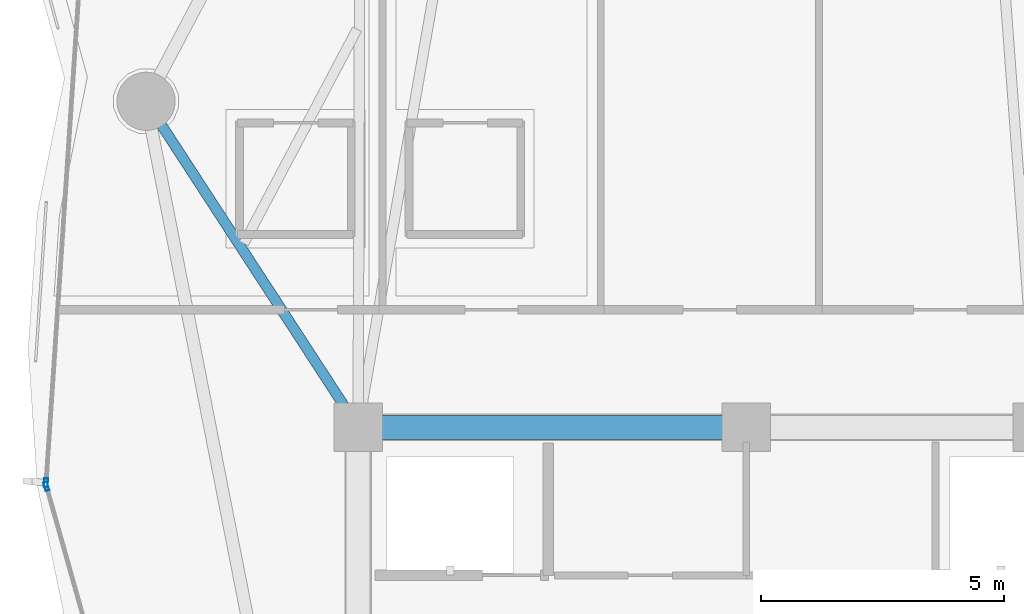
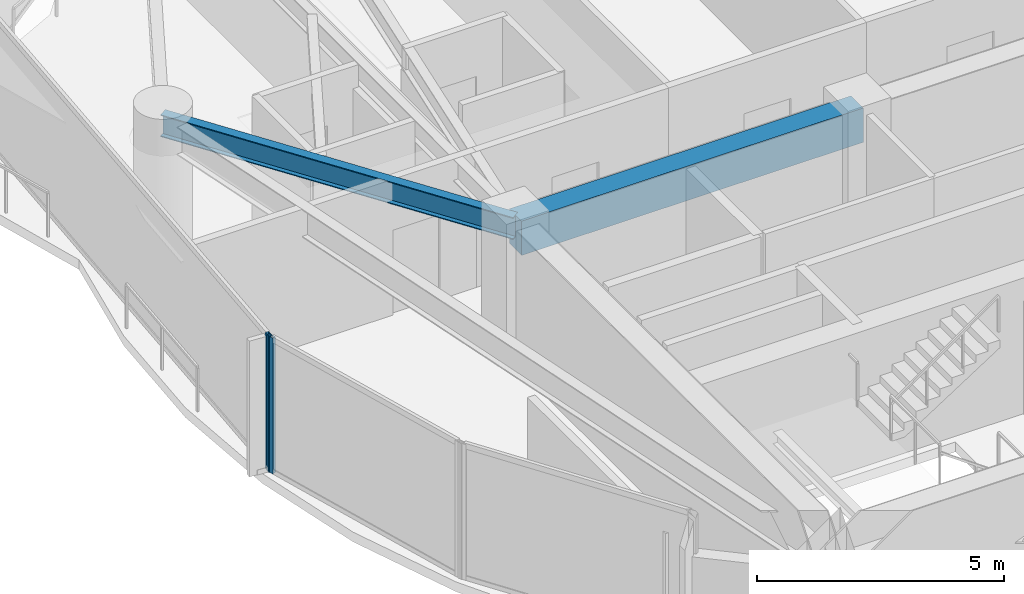
# One storey, part 7 of 30: 2 beams, 2 members, 2 elements without a shape of their own.
"""IFC4 building model written with IfcOpenShell, lengths in metres."""

from ifc_helpers import new_model, si_unit, direction, frame, origin, origin_2d, place, context, subcontext, project, spatial, rectangle, hollow_rectangle, i_section, extrude, material, layer, layer_set, material_profile, profile_set, type_object, element, aggregate, save


model = new_model("IFC4")

# Units and contexts
model_context = context("Model", 3, precision=1e-05, world=origin(), true_north=direction((0.0, 1.0)))
body_context = subcontext(model_context, "Body", "Model", "MODEL_VIEW")
ifc_project = project(units=[si_unit("LENGTHUNIT", "METRE"), si_unit("AREAUNIT", "SQUARE_METRE"), si_unit("VOLUMEUNIT", "CUBIC_METRE"), si_unit("PLANEANGLEUNIT", "RADIAN"), si_unit("MASSUNIT", "GRAM", prefix="KILO")], contexts=[model_context])

# Site, building, storey
site_placement = place(None, origin())
site = spatial("IfcSite", under=ifc_project, at=site_placement, CompositionType="ELEMENT")
building_placement = place(site_placement, origin())
building = spatial("IfcBuilding", under=site, at=building_placement, Name="Kazevale Care Tower and Concert Hall", CompositionType="ELEMENT")
storey_placement = place(building_placement, frame((0.0, 0.0, 131.39990234375)))
storey = spatial("IfcBuildingStorey", under=building, at=storey_placement, Name="L34", CompositionType="ELEMENT", Elevation=131.39990234375)

# Curtain wall, member
ifc_material_1 = material(Name="Aluminium 6063-T6 and Low-E Glass", Category="aluminium")
ifc_layer = layer(ifc_material_1, 0.179931640625)
ifc_layer_set = layer_set([ifc_layer], Name="Aluminium 6063-T6 and Low-E Glass")
curtain_wall_type = type_object("IfcCurtainWallType", Name="Waist & Upper Residential Curtain Wall CW-4", PredefinedType="NOTDEFINED", material=ifc_layer_set)
curtain_wall_1_placement = place(storey_placement, origin())
curtain_wall_1 = element("IfcCurtainWall", 1, at=curtain_wall_1_placement, inside=storey, type_object=curtain_wall_type, Name="cw:L34:f12", PredefinedType="NOTDEFINED")
ifc_material_2 = material(Name="Aluminium 6063-T6", Category="aluminium")
ifc_material_profile_1 = material_profile(ifc_material_2, hollow_rectangle(XDim=0.080078125, YDim=0.179931640625, WallThickness=0.0048828125, at=origin_2d()), Name="ALU80x180x5")
ifc_profile_set_1 = profile_set([ifc_material_profile_1], Name="Aluminium 6063-T6")
member_type = type_object("IfcMemberType", Name="CW-4 Mullion ALU80x180x5", PredefinedType="MULLION", material=ifc_profile_set_1)
member_1_placement = place(storey_placement, frame((15.576904296875, 35.18359375, 0.0), z_axis=(0.0, 0.0, 1.0), x_axis=(-0.962499078876, -0.271284948278, 0.0)))
member_1 = element("IfcMember", 2, at=member_1_placement, type_object=member_type, Name="CW-4 mullion 2", PredefinedType="MULLION", context=body_context, shape_type="SweptSolid", body=[
    extrude(hollow_rectangle(XDim=0.080078125, YDim=0.179931640625, WallThickness=0.0048828125, at=origin_2d()), origin(), (0.0, 0.0, 1.0), 3.360107421875),
])
aggregate(curtain_wall_1, [member_1])

curtain_wall_2_placement = place(storey_placement, origin())
curtain_wall_2 = element("IfcCurtainWall", 3, at=curtain_wall_2_placement, inside=storey, type_object=curtain_wall_type, Name="cw:L34:f13", PredefinedType="NOTDEFINED")
member_2_placement = place(storey_placement, frame((15.568603515625, 35.261962890625, 0.0), z_axis=(0.0, 0.0, 1.0), x_axis=(-0.997778418439, 0.06662002475, 0.0)))
member_2 = element("IfcMember", 4, at=member_2_placement, type_object=member_type, Name="CW-4 mullion 1", PredefinedType="MULLION", context=body_context, shape_type="SweptSolid", body=[
    extrude(hollow_rectangle(XDim=0.080078125, YDim=0.179931640625, WallThickness=0.0048828125, at=origin_2d()), origin(), (0.0, 0.0, 1.0), 3.360107421875),
])
aggregate(curtain_wall_2, [member_2])

# Beams
ifc_material_3 = material(Name="Concrete C60", Category="concrete")
ifc_material_profile_2 = material_profile(ifc_material_3, rectangle(XDim=0.5, YDim=0.85009765625, at=origin_2d()), Name="RC-B500x850")
ifc_profile_set_2 = profile_set([ifc_material_profile_2], Name="Concrete C60")
beam_type_1 = type_object("IfcBeamType", Name="Core Coupling Beam RC500x850", PredefinedType="LINTEL", material=ifc_profile_set_2)
beam_1_placement = place(storey_placement, frame((30.0, 36.39990234375, 2.93505859375), z_axis=(-1.0, 0.0, 0.0), x_axis=(0.0, -1.0, 0.0)))
element("IfcBeam", 5, at=beam_1_placement, inside=storey, type_object=beam_type_1, Name="beam:L34:coretie:7", PredefinedType="LINTEL", context=body_context, shape_type="SweptSolid", body=[
    extrude(rectangle(XDim=0.5, YDim=0.85009765625, at=origin_2d()), origin(), (0.0, 0.0, 1.0), 8.0),
])
ifc_material_4 = material(Name="Steel ASTM A572 Gr 50", Category="steel")
ifc_material_profile_3 = material_profile(ifc_material_4, i_section(OverallWidth=0.2119140625, OverallDepth=0.5439453125, WebThickness=0.01318359375, FlangeThickness=0.021240234375, at=origin_2d()), Name="W530x123")
ifc_profile_set_3 = profile_set([ifc_material_profile_3], Name="Steel ASTM A572 Gr 50")
beam_type_2 = type_object("IfcBeamType", Name="Radial Floor Girder W530x123", PredefinedType="BEAM", material=ifc_profile_set_3)
beam_2_placement = place(storey_placement, frame((22.0, 36.39990234375, 3.088134765625), z_axis=(-0.5451617613, 0.83833087383, 0.0), x_axis=(-0.83833087383, -0.5451617613, 0.0)))
element("IfcBeam", 6, at=beam_2_placement, inside=storey, type_object=beam_type_2, Name="beam:L34:rad:09", PredefinedType="BEAM", context=body_context, shape_type="SweptSolid", body=[
    extrude(i_section(OverallWidth=0.2119140625, OverallDepth=0.5439453125, WebThickness=0.01318359375, FlangeThickness=0.021240234375, at=origin_2d()), origin(), (0.0, 0.0, 1.0), 8.01611328125),
])

save(model, "model.ifc")
